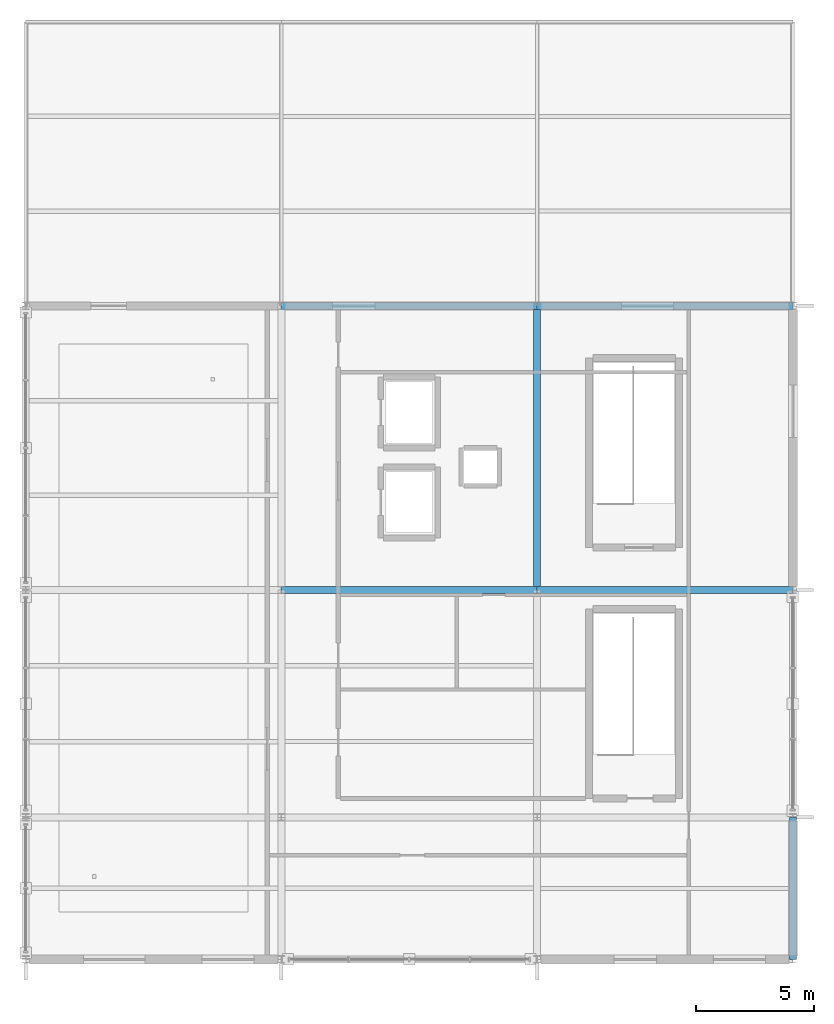
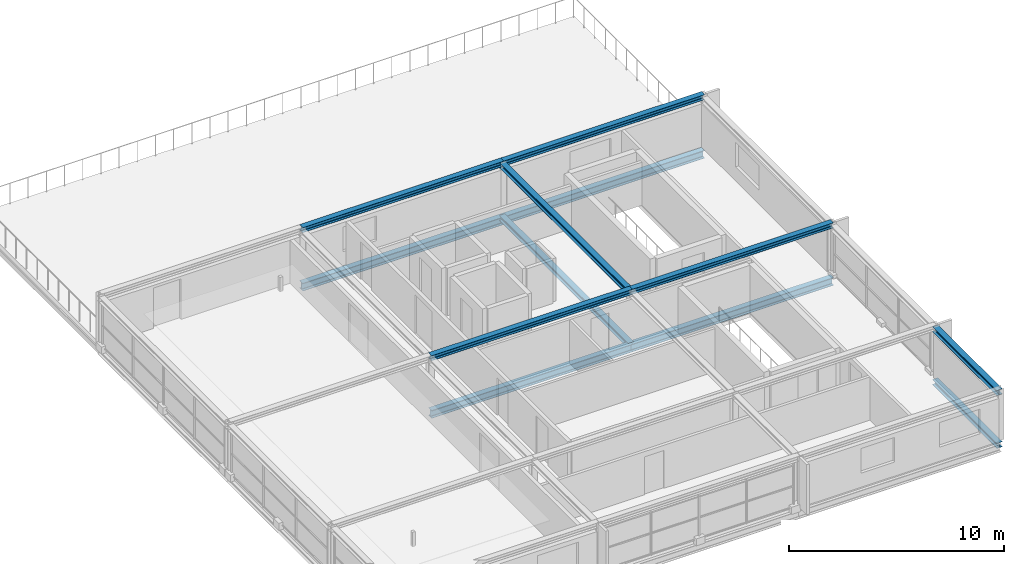
# One storey, part 9 of 14: 12 beams.
"""IFC4 building model written with IfcOpenShell, lengths in metres."""

import ifcopenshell
import ifcopenshell.guid

model = None  # the IFC model being written
_history = None  # IfcOwnerHistory: only IFC2X3 demands one
_inside = {}  # id of a spatial element -> (the spatial element, [elements in it])
_under = {}  # id of a project, library or spatial element -> (it, [spatial elements below it])
_declared = {}  # id of a project -> (the project, [libraries it declares])
_typed = {}  # id of a type object -> (the type object, [elements of that type])
_made_of = {}  # id of a material, layer set ... -> (it, [elements and type objects made of it])


def new_model(schema):
    """Start an empty IFC model of exactly this schema.

    Asked for "IFC4X3", IfcOpenShell would pick the latest addendum, in which some entities
    have other attributes; the version numbers below select the first issue.
    IFC2X3 requires an IfcOwnerHistory on every rooted entity: one is made here for all.
    """
    global model, _history
    if schema == "IFC4X3":
        model = ifcopenshell.file(schema_version=(4, 3, 0, 0))
    else:
        model = ifcopenshell.file(schema=schema)
    _inside.clear()
    _under.clear()
    _declared.clear()
    _typed.clear()
    _made_of.clear()
    _history = None
    if model.schema == "IFC2X3":
        org = make("IfcOrganization", Name="unknown")
        user = make(
            "IfcPersonAndOrganization",
            ThePerson=make("IfcPerson", FamilyName="unknown"),
            TheOrganization=org,
        )
        app = make(
            "IfcApplication",
            ApplicationDeveloper=org,
            Version="unknown",
            ApplicationFullName="unknown",
            ApplicationIdentifier="unknown",
        )
        _history = make(
            "IfcOwnerHistory",
            OwningUser=user,
            OwningApplication=app,
            ChangeAction="ADDED",
            CreationDate=0,
        )
    return model


def make(cls, **values):
    """One entity of the class cls with the attributes given. An attribute that is None is left unset."""
    return model.create_entity(
        cls, **{name: value for name, value in values.items() if value is not None}
    )


def rooted(cls, **values):
    """An entity with a GlobalId (a new one), such as an element, a storey or a relation."""
    return make(cls, GlobalId=ifcopenshell.guid.new(), OwnerHistory=_history, **values)


def si_unit(unit_type, name, prefix=None):
    """IfcSIUnit, for example si_unit("LENGTHUNIT", "METRE", prefix="MILLI")."""
    return make("IfcSIUnit", UnitType=unit_type, Prefix=prefix, Name=name)


def assignment(units):
    """IfcUnitAssignment: the units of a project."""
    return None if units is None else make("IfcUnitAssignment", Units=units)


def point(xyz):
    """IfcCartesianPoint."""
    return None if xyz is None else make("IfcCartesianPoint", Coordinates=xyz)


def direction(xyz):
    """IfcDirection."""
    return None if xyz is None else make("IfcDirection", DirectionRatios=xyz)


def frame(location, z_axis=None, x_axis=None):
    """IfcAxis2Placement3D, a coordinate frame: its origin and axes. An axis left out is left unset."""
    return make(
        "IfcAxis2Placement3D",
        Location=point(location),
        Axis=direction(z_axis),
        RefDirection=direction(x_axis),
    )


def frame_2d(location, x_axis=None):
    """IfcAxis2Placement2D, a coordinate frame in the plane: its origin and x axis."""
    return make(
        "IfcAxis2Placement2D", Location=point(location), RefDirection=direction(x_axis)
    )


def origin():
    """The frame at (0, 0, 0) with its axes left unset."""
    return frame((0.0, 0.0, 0.0))


def origin_2d():
    """The frame at (0, 0) in the plane with its x axis left unset."""
    return frame_2d((0.0, 0.0))


def place(relative_to, where):
    """IfcLocalPlacement: puts the frame where relative to a parent placement (None: the world)."""
    return make(
        "IfcLocalPlacement", PlacementRelTo=relative_to, RelativePlacement=where
    )


def context(
    kind, dimensions, precision=None, world=None, true_north=None, identifier=None
):
    """IfcGeometricRepresentationContext, for example the 3D "Model" context."""
    return make(
        "IfcGeometricRepresentationContext",
        ContextIdentifier=identifier,
        ContextType=kind,
        CoordinateSpaceDimension=dimensions,
        Precision=precision,
        WorldCoordinateSystem=world,
        TrueNorth=true_north,
    )


def subcontext(parent, identifier, kind, view, scale=None):
    """IfcGeometricRepresentationSubContext, for example "Body" below "Model"."""
    return make(
        "IfcGeometricRepresentationSubContext",
        ContextIdentifier=identifier,
        ContextType=kind,
        ParentContext=parent,
        TargetScale=scale,
        TargetView=view,
    )


def project(units=None, contexts=None):
    """IfcProject with its units and contexts."""
    return rooted(
        "IfcProject",
        Name="project",
        RepresentationContexts=contexts,
        UnitsInContext=assignment(units),
    )


def spatial(cls, under=None, at=None, **own):
    """A site, building, storey or space (cls), placed at a placement, below another one or the project."""
    s = rooted(cls, ObjectPlacement=at, **own)
    if under is not None:
        _under.setdefault(under.id(), (under, []))[1].append(s)
    return s


def profile(cls, at=None, kind="AREA", **sizes):
    """A parametric profile (cls). Its sizes go by their IFC names, for example OverallWidth=200.0."""
    return make(cls, ProfileType=kind, Position=at, **sizes)


def i_section(**sizes):
    """IfcIShapeProfileDef."""
    return profile("IfcIShapeProfileDef", **sizes)


def extrude(swept, where, along, depth):
    """IfcExtrudedAreaSolid: the profile swept, set in the frame where, extruded along a direction by depth."""
    return make(
        "IfcExtrudedAreaSolid",
        SweptArea=swept,
        Position=where,
        ExtrudedDirection=direction(along),
        Depth=depth,
    )


def shape(context_of_items, identifier, shape_type, items):
    """IfcShapeRepresentation: the items that make up one representation, for example the "Body"."""
    return make(
        "IfcShapeRepresentation",
        ContextOfItems=context_of_items,
        RepresentationIdentifier=identifier,
        RepresentationType=shape_type,
        Items=items,
    )


def material(Name=None, Category=None):
    """IfcMaterial."""
    return make("IfcMaterial", Name=Name, Category=Category)


def material_profile(
    of_material, cross_section, Name=None, Category=None, Priority=None
):
    """IfcMaterialProfile: a cross section and its material."""
    return make(
        "IfcMaterialProfile",
        Name=Name,
        Material=of_material,
        Profile=cross_section,
        Priority=Priority,
        Category=Category,
    )


def profile_set(profiles, Name=None, composite=None):
    """IfcMaterialProfileSet."""
    return make(
        "IfcMaterialProfileSet",
        Name=Name,
        MaterialProfiles=profiles,
        CompositeProfile=composite,
    )


def made_of(thing, what):
    """Note that an element or type object is made of a material, layer set ...; save() writes the relation."""
    if what is not None:
        _made_of.setdefault(what.id(), (what, []))[1].append(thing)
    return thing


def type_object(cls, material=None, **own):
    """A type object (cls), such as IfcWallType, which elements share."""
    return made_of(rooted(cls, **own), material)


def element(
    cls,
    number,
    at=None,
    inside=None,
    cuts=None,
    type_object=None,
    material=None,
    context=None,
    identifier="Body",
    shape_type=None,
    held_by="IfcProductDefinitionShape",
    body=None,
    shapes=None,
    **own,
):
    """One element of the class cls, such as IfcWall. Its Tag is "e" and its number.

    at: its placement. inside: the storey or other place that contains it. cuts: it is an
    opening in that element (IfcRelVoidsElement). A single representation is given by context,
    identifier, shape_type and body (its items); several are given by shapes. held_by: the class
    of the entity that holds the representations. save() writes the other relations.
    """
    e = rooted(cls, Tag="e%d" % number, ObjectPlacement=at, **own)
    if body is not None:
        shapes = [shape(context, identifier, shape_type, body)]
    if shapes is not None:
        e.Representation = make(held_by, Representations=shapes)
    if inside is not None:
        _inside.setdefault(inside.id(), (inside, []))[1].append(e)
    if cuts is not None:
        rooted(
            "IfcRelVoidsElement", RelatingBuildingElement=cuts, RelatedOpeningElement=e
        )
    if type_object is not None:
        _typed.setdefault(type_object.id(), (type_object, []))[1].append(e)
    return made_of(e, material)


def aggregate(whole, parts):
    """IfcRelAggregates: a whole, such as a stair, and the parts it consists of."""
    return rooted("IfcRelAggregates", RelatingObject=whole, RelatedObjects=parts)


def save(model, path):
    """Write the relations noted so far, then the file.

    IfcRelAggregates (storeys below a building ...), IfcRelContainedInSpatialStructure (elements
    in a storey), IfcRelDefinesByType, IfcRelAssociatesMaterial and IfcRelDeclares: one each for
    every whole, place, type object, material and project.
    """
    for whole, parts in _under.values():
        aggregate(whole, parts)
    for where, things in _inside.values():
        rooted(
            "IfcRelContainedInSpatialStructure",
            RelatedElements=things,
            RelatingStructure=where,
        )
    for kind, things in _typed.values():
        rooted("IfcRelDefinesByType", RelatedObjects=things, RelatingType=kind)
    for what, things in _made_of.values():
        rooted("IfcRelAssociatesMaterial", RelatedObjects=things, RelatingMaterial=what)
    for by, libraries in _declared.values():
        rooted("IfcRelDeclares", RelatingContext=by, RelatedDefinitions=libraries)
    model.write(path)


model = new_model("IFC4")

# Units and contexts
model_context = context("Model", 3, precision=1e-05, world=origin(), true_north=direction((0.0, 1.0)))
body_context = subcontext(model_context, "Body", "Model", "MODEL_VIEW")
ifc_project = project(units=[si_unit("LENGTHUNIT", "METRE"), si_unit("AREAUNIT", "SQUARE_METRE"), si_unit("VOLUMEUNIT", "CUBIC_METRE"), si_unit("PLANEANGLEUNIT", "RADIAN"), si_unit("MASSUNIT", "GRAM", prefix="KILO")], contexts=[model_context])

# Site, building, storey
site_placement = place(None, origin())
site = spatial("IfcSite", under=ifc_project, at=site_placement, CompositionType="ELEMENT")
building_placement = place(site_placement, origin())
building = spatial("IfcBuilding", under=site, at=building_placement, Name="Merenkruunu Market Hall", CompositionType="ELEMENT")
storey_placement = place(building_placement, frame((0.0, 0.0, 18.60009765625)))
storey = spatial("IfcBuildingStorey", under=building, at=storey_placement, Name="L04", CompositionType="ELEMENT", Elevation=18.60009765625)

# Beams
ifc_material = material(Name="Steel S355J2", Category="steel")
ifc_material_profile_1 = material_profile(ifc_material, i_section(OverallWidth=0.300048828125, OverallDepth=0.43994140625, WebThickness=0.011474609375, FlangeThickness=0.02099609375, FilletRadius=0.027099609375, at=origin_2d()), Name="HEA 450")
ifc_profile_set_1 = profile_set([ifc_material_profile_1], Name="Steel S355J2")
beam_type_1 = type_object("IfcBeamType", Name="Primary Floor Girder B07", PredefinedType="BEAM", material=ifc_profile_set_1)
for number, where, z_axis, x_axis, name in (
    (1, (170.39990234375, 15.60009765625, -0.440185546875), (1.0, 0.0, 0.0), (0.0, 1.0, 0.0), "BM-L04-B07-0922"),
    (2, (181.199951171875, 15.60009765625, -0.440185546875), (1.0, 0.0, 0.0), (0.0, 1.0, 0.0), "BM-L04-B07-0923"),
    (3, (170.39990234375, 27.60009765625, -0.489990234375), (1.0, 0.0, 0.0), (0.0, 1.0, 0.0), "BM-L04-B07-0925"),
    (4, (181.199951171875, 27.60009765625, -0.489990234375), (1.0, 0.0, 0.0), (0.0, 1.0, 0.0), "BM-L04-B07-0926"),
):
    element("IfcBeam", number, at=place(storey_placement, frame(where, z_axis=z_axis, x_axis=x_axis)), inside=storey, type_object=beam_type_1, Name=name, PredefinedType="BEAM", context=body_context, shape_type="SweptSolid", body=[
        extrude(i_section(OverallWidth=0.300048828125, OverallDepth=0.43994140625, WebThickness=0.011474609375, FlangeThickness=0.02099609375, FilletRadius=0.027099609375, at=origin_2d()), origin(), (0.0, 0.0, 1.0), 10.800048828125),
    ])
ifc_material_profile_2 = material_profile(ifc_material, i_section(OverallWidth=0.300048828125, OverallDepth=0.2900390625, WebThickness=0.008544921875, FlangeThickness=0.013916015625, FilletRadius=0.027099609375, at=origin_2d()), Name="HEA 300")
ifc_profile_set_2 = profile_set([ifc_material_profile_2], Name="Steel S355J2")
beam_type_2 = type_object("IfcBeamType", Name="Primary Floor Girder B09", PredefinedType="BEAM", material=ifc_profile_set_2)
beam_1_placement = place(storey_placement, frame((181.199951171875, 15.60009765625, -0.364990234375), z_axis=(0.0, 1.0, 0.0), x_axis=(-1.0, 0.0, 0.0)))
element("IfcBeam", 5, at=beam_1_placement, inside=storey, type_object=beam_type_2, Name="BM-L04-B09-0940", PredefinedType="BEAM", context=body_context, shape_type="SweptSolid", body=[
    extrude(i_section(OverallWidth=0.300048828125, OverallDepth=0.2900390625, WebThickness=0.008544921875, FlangeThickness=0.013916015625, FilletRadius=0.027099609375, at=origin_2d()), origin(), (0.0, 0.0, 1.0), 12.0),
])
beam_2_placement = place(storey_placement, frame((192.0, 0.0, -0.364990234375), z_axis=(0.0, 1.0, 0.0), x_axis=(-1.0, 0.0, 0.0)))
element("IfcBeam", 6, at=beam_2_placement, inside=storey, type_object=beam_type_2, Name="BM-L04-B09-0942", PredefinedType="BEAM", context=body_context, shape_type="SweptSolid", body=[
    extrude(i_section(OverallWidth=0.300048828125, OverallDepth=0.2900390625, WebThickness=0.008544921875, FlangeThickness=0.013916015625, FilletRadius=0.027099609375, at=origin_2d()), origin(), (0.0, 0.0, 1.0), 6.0),
])
for number, where, z_axis, x_axis, name in (
    (7, (170.39990234375, 15.60009765625, 2.7548828125), (1.0, 0.0, 0.0), (0.0, 1.0, 0.0), "BM-L04-B09-1316"),
    (8, (181.199951171875, 15.60009765625, 2.7548828125), (1.0, 0.0, 0.0), (0.0, 1.0, 0.0), "BM-L04-B09-1317"),
    (9, (170.39990234375, 27.60009765625, 2.7548828125), (1.0, 0.0, 0.0), (0.0, 1.0, 0.0), "BM-L04-B09-1319"),
    (10, (181.199951171875, 27.60009765625, 2.7548828125), (1.0, 0.0, 0.0), (0.0, 1.0, 0.0), "BM-L04-B09-1320"),
):
    element("IfcBeam", number, at=place(storey_placement, frame(where, z_axis=z_axis, x_axis=x_axis)), inside=storey, type_object=beam_type_2, Name=name, PredefinedType="BEAM", context=body_context, shape_type="SweptSolid", body=[
        extrude(i_section(OverallWidth=0.300048828125, OverallDepth=0.2900390625, WebThickness=0.008544921875, FlangeThickness=0.013916015625, FilletRadius=0.027099609375, at=origin_2d()), origin(), (0.0, 0.0, 1.0), 10.800048828125),
    ])
beam_3_placement = place(storey_placement, frame((181.199951171875, 15.60009765625, 2.635009765625), z_axis=(0.0, 1.0, 0.0), x_axis=(-1.0, 0.0, 0.0)))
element("IfcBeam", 11, at=beam_3_placement, inside=storey, type_object=beam_type_2, Name="BM-L04-B09-1329", PredefinedType="BEAM", context=body_context, shape_type="SweptSolid", body=[
    extrude(i_section(OverallWidth=0.300048828125, OverallDepth=0.2900390625, WebThickness=0.008544921875, FlangeThickness=0.013916015625, FilletRadius=0.027099609375, at=origin_2d()), origin(), (0.0, 0.0, 1.0), 12.0),
])
beam_4_placement = place(storey_placement, frame((192.0, 0.0, 2.635009765625), z_axis=(0.0, 1.0, 0.0), x_axis=(-1.0, 0.0, 0.0)))
element("IfcBeam", 12, at=beam_4_placement, inside=storey, type_object=beam_type_2, Name="BM-L04-B09-1330", PredefinedType="BEAM", context=body_context, shape_type="SweptSolid", body=[
    extrude(i_section(OverallWidth=0.300048828125, OverallDepth=0.2900390625, WebThickness=0.008544921875, FlangeThickness=0.013916015625, FilletRadius=0.027099609375, at=origin_2d()), origin(), (0.0, 0.0, 1.0), 6.0),
])

save(model, "model.ifc")
